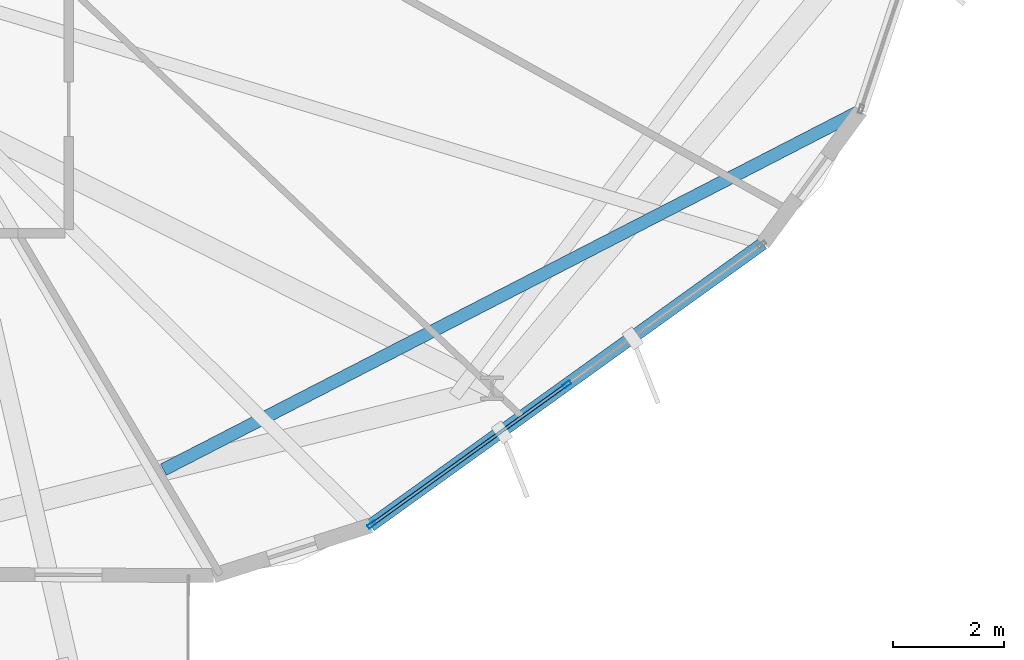
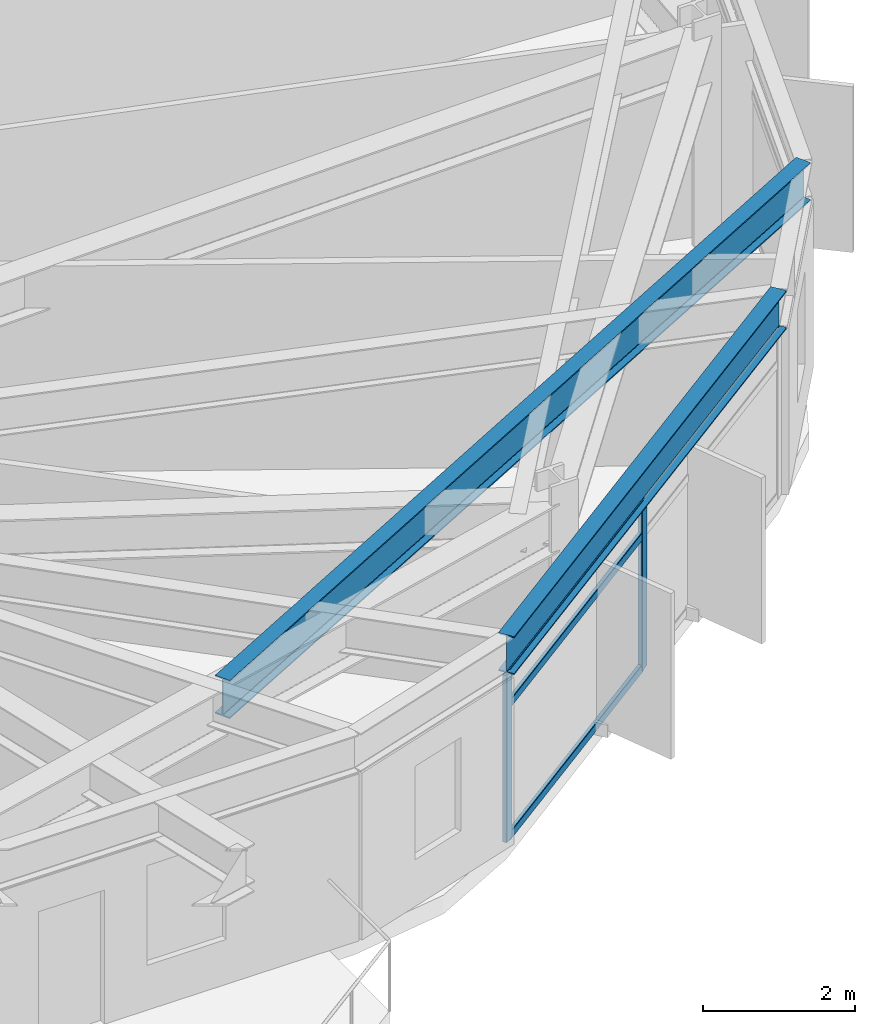
# One storey, part 4 of 24: 5 members, 2 beams, 1 element without a shape of its own.
"""IFC4 building model written with IfcOpenShell, lengths in metres."""

from ifc_helpers import new_model, si_unit, direction, frame, origin, origin_2d, place, context, subcontext, project, spatial, hollow_rectangle, i_section, extrude, material, layer, layer_set, material_profile, profile_set, type_object, element, aggregate, save


model = new_model("IFC4")

# Units and contexts
model_context = context("Model", 3, precision=1e-05, world=origin(), true_north=direction((0.0, 1.0)))
body_context = subcontext(model_context, "Body", "Model", "MODEL_VIEW")
ifc_project = project(units=[si_unit("LENGTHUNIT", "METRE"), si_unit("AREAUNIT", "SQUARE_METRE"), si_unit("VOLUMEUNIT", "CUBIC_METRE"), si_unit("PLANEANGLEUNIT", "RADIAN"), si_unit("MASSUNIT", "GRAM", prefix="KILO")], contexts=[model_context])

# Site, building, storey
site_placement = place(None, origin())
site = spatial("IfcSite", under=ifc_project, at=site_placement, CompositionType="ELEMENT")
building_placement = place(site_placement, origin())
building = spatial("IfcBuilding", under=site, at=building_placement, Name="Soratama Intermodal Tower", CompositionType="ELEMENT")
storey_placement = place(building_placement, frame((0.0, 0.0, 164.199951171875)))
storey = spatial("IfcBuildingStorey", under=building, at=storey_placement, Name="L40", CompositionType="ELEMENT", Elevation=164.199951171875)

# Beams
ifc_material_1 = material(Name="Structural steel ASTM A992 Grade 50", Category="steel")
ifc_material_profile_1 = material_profile(ifc_material_1, i_section(OverallWidth=0.22900390625, OverallDepth=0.612060546875, WebThickness=0.011962890625, FlangeThickness=0.01953125, FilletRadius=0.012939453125, at=origin_2d()), Name="W24X84")
ifc_profile_set_1 = profile_set([ifc_material_profile_1], Name="Structural steel ASTM A992 Grade 50")
beam_type_1 = type_object("IfcBeamType", Name="BM-SPN-W24X84", PredefinedType="SPANDREL", material=ifc_profile_set_1)
beam_1_placement = place(storey_placement, frame((52.08203125, 7.68701171875, 2.994140625), z_axis=(0.812066050894, 0.583565531012, 0.0), x_axis=(-0.583565531012, 0.812066050894, 0.0)))
element("IfcBeam", 1, at=beam_1_placement, inside=storey, type_object=beam_type_1, Name="BS-L40-F08", PredefinedType="SPANDREL", context=body_context, shape_type="SweptSolid", body=[
    extrude(i_section(OverallWidth=0.22900390625, OverallDepth=0.612060546875, WebThickness=0.011962890625, FlangeThickness=0.01953125, FilletRadius=0.012939453125, at=origin_2d()), origin(), (0.0, 0.0, 1.0), 8.70361328125),
])
ifc_material_2 = material(Name="Structural steel ASTM A992 Grade 50", Category="steel")
ifc_material_profile_2 = material_profile(ifc_material_2, i_section(OverallWidth=0.22900390625, OverallDepth=0.612060546875, WebThickness=0.011962890625, FlangeThickness=0.01953125, FilletRadius=0.012939453125, at=origin_2d()), Name="W24X84")
ifc_profile_set_2 = profile_set([ifc_material_profile_2], Name="Structural steel ASTM A992 Grade 50")
beam_type_2 = type_object("IfcBeamType", Name="BM-TIE-W24X84", PredefinedType="BEAM", material=ifc_profile_set_2)
beam_2_placement = place(storey_placement, frame((48.35498046875, 8.693115234375, 2.994140625), z_axis=(0.88905497502, 0.457800449313, 0.0), x_axis=(-0.457800449313, 0.88905497502, 0.0)))
element("IfcBeam", 2, at=beam_2_placement, inside=storey, type_object=beam_type_2, Name="BM-L40-TIE0-09", PredefinedType="BEAM", context=body_context, shape_type="SweptSolid", body=[
    extrude(i_section(OverallWidth=0.22900390625, OverallDepth=0.612060546875, WebThickness=0.011962890625, FlangeThickness=0.01953125, FilletRadius=0.012939453125, at=origin_2d()), origin(), (0.0, 0.0, 1.0), 14.1171875),
])

# Curtain wall, members
ifc_material_3 = material(Name="Double-glazed aluminium curtain wall", Category="aluminium")
ifc_layer = layer(ifc_material_3, 0.159912109375)
ifc_layer_set = layer_set([ifc_layer], Name="Double-glazed aluminium curtain wall")
curtain_wall_type = type_object("IfcCurtainWallType", Name="CW-SYS-4", PredefinedType="NOTDEFINED", material=ifc_layer_set)
curtain_wall_placement = place(storey_placement, origin())
curtain_wall = element("IfcCurtainWall", 3, at=curtain_wall_placement, inside=storey, type_object=curtain_wall_type, Name="L40 Faceted Curtain Wall F08", PredefinedType="NOTDEFINED")
ifc_material_4 = material(Name="Anodised aluminium AA 6063-T6", Category="aluminium")
ifc_material_profile_3 = material_profile(ifc_material_4, hollow_rectangle(XDim=0.070068359375, YDim=0.159912109375, WallThickness=0.0048828125, InnerFilletRadius=0.0048828125, OuterFilletRadius=0.010009765625, at=origin_2d()), Name="CWM160X70X5")
ifc_profile_set_3 = profile_set([ifc_material_profile_3], Name="Anodised aluminium AA 6063-T6")
member_type_1 = type_object("IfcMemberType", Name="MT-CWM-4", PredefinedType="MULLION", material=ifc_profile_set_3)
member_1_placement = place(storey_placement, frame((52.1064453125, 7.704833984375, 0.0), z_axis=(0.0, 0.0, 1.0), x_axis=(-0.583543467681, 0.812081905553, 0.0)))
member_1 = element("IfcMember", 4, at=member_1_placement, type_object=member_type_1, Name="CW-4 mullion 1", PredefinedType="MULLION", context=body_context, shape_type="SweptSolid", body=[
    extrude(hollow_rectangle(XDim=0.070068359375, YDim=0.159912109375, WallThickness=0.0048828125, InnerFilletRadius=0.0048828125, OuterFilletRadius=0.010009765625, at=origin_2d()), origin(), (0.0, 0.0, 1.0), 2.678955078125),
])
member_2_placement = place(storey_placement, frame((55.615966796875, 10.2265625, 0.0), z_axis=(0.0, 0.0, 1.0), x_axis=(-0.583543467681, 0.812081905553, 0.0)))
member_2 = element("IfcMember", 5, at=member_2_placement, type_object=member_type_1, Name="CW-4 mullion 2", PredefinedType="MULLION", context=body_context, shape_type="SweptSolid", body=[
    extrude(hollow_rectangle(XDim=0.070068359375, YDim=0.159912109375, WallThickness=0.0048828125, InnerFilletRadius=0.0048828125, OuterFilletRadius=0.010009765625, at=origin_2d()), origin(), (0.0, 0.0, 1.0), 2.678955078125),
])
ifc_material_5 = material(Name="Anodised aluminium AA 6063-T6", Category="aluminium")
ifc_material_profile_4 = material_profile(ifc_material_5, hollow_rectangle(XDim=0.06005859375, YDim=0.1298828125, WallThickness=0.0048828125, InnerFilletRadius=0.0048828125, OuterFilletRadius=0.010009765625, at=origin_2d()), Name="CWT130X60X5")
ifc_profile_set_4 = profile_set([ifc_material_profile_4], Name="Anodised aluminium AA 6063-T6")
member_type_2 = type_object("IfcMemberType", Name="TT-CWT-2", PredefinedType="USERDEFINED", material=ifc_profile_set_4)
member_3_placement = place(storey_placement, frame((52.130859375, 7.722412109375, 0.030029296875), z_axis=(0.81210445302, 0.583512088466, 0.0), x_axis=(-0.583512088466, 0.81210445302, 0.0)))
member_3 = element("IfcMember", 6, at=member_3_placement, type_object=member_type_2, Name="CW-4 transom 1.1", ObjectType="TRANSOM", PredefinedType="USERDEFINED", context=body_context, shape_type="SweptSolid", body=[
    extrude(hollow_rectangle(XDim=0.06005859375, YDim=0.1298828125, WallThickness=0.0048828125, InnerFilletRadius=0.0048828125, OuterFilletRadius=0.010009765625, at=origin_2d()), origin(), (0.0, 0.0, 1.0), 4.261474609375),
])
member_4_placement = place(storey_placement, frame((52.130859375, 7.722412109375, 2.150146484375), z_axis=(0.81210445302, 0.583512088466, 0.0), x_axis=(-0.583512088466, 0.81210445302, 0.0)))
member_4 = element("IfcMember", 7, at=member_4_placement, type_object=member_type_2, Name="CW-4 transom 1.2", ObjectType="TRANSOM", PredefinedType="USERDEFINED", context=body_context, shape_type="SweptSolid", body=[
    extrude(hollow_rectangle(XDim=0.06005859375, YDim=0.1298828125, WallThickness=0.0048828125, InnerFilletRadius=0.0048828125, OuterFilletRadius=0.010009765625, at=origin_2d()), origin(), (0.0, 0.0, 1.0), 4.261474609375),
])
member_5_placement = place(storey_placement, frame((52.130859375, 7.722412109375, 2.649169921875), z_axis=(0.81210445302, 0.583512088466, 0.0), x_axis=(-0.583512088466, 0.81210445302, 0.0)))
member_5 = element("IfcMember", 8, at=member_5_placement, type_object=member_type_2, Name="CW-4 transom 1.3", ObjectType="TRANSOM", PredefinedType="USERDEFINED", context=body_context, shape_type="SweptSolid", body=[
    extrude(hollow_rectangle(XDim=0.06005859375, YDim=0.1298828125, WallThickness=0.0048828125, InnerFilletRadius=0.0048828125, OuterFilletRadius=0.010009765625, at=origin_2d()), origin(), (0.0, 0.0, 1.0), 4.261474609375),
])
aggregate(curtain_wall, [member_1, member_2, member_3, member_4, member_5])

save(model, "model.ifc")
